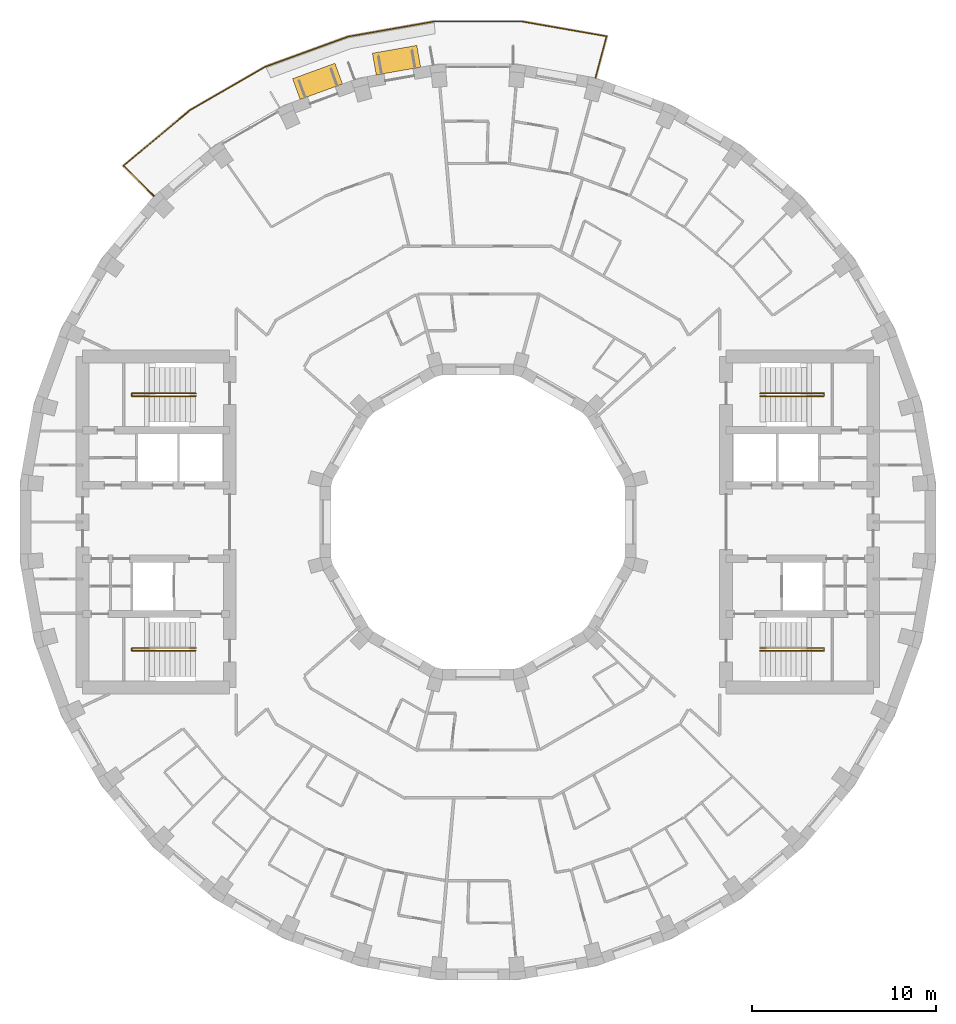
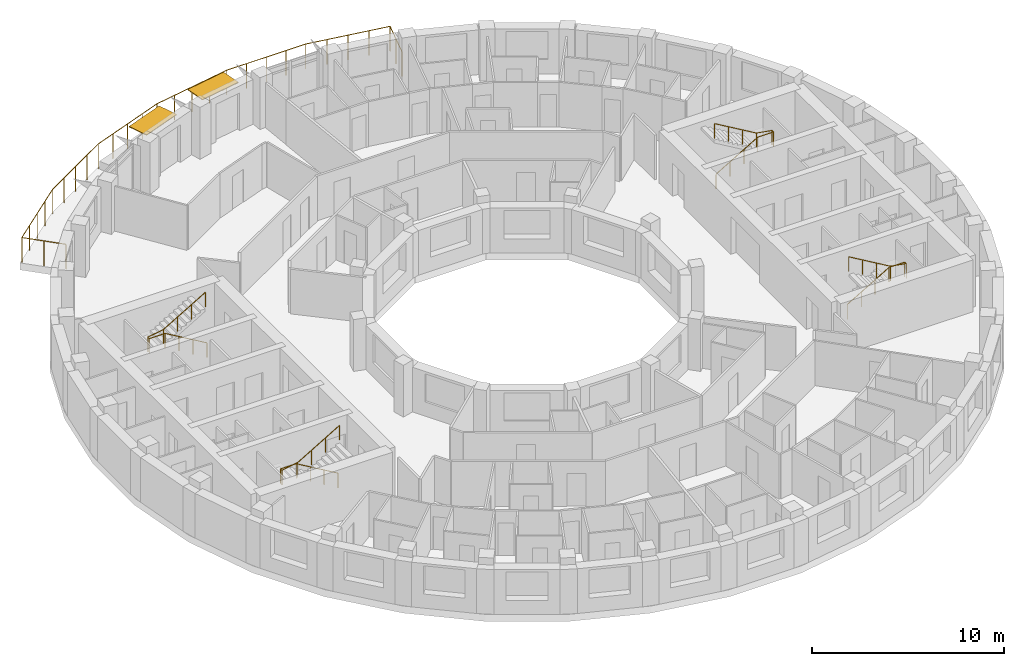
# One storey, part 14 of 14: 5 railings, 2 shading devices.
"""IFC4 building model written with IfcOpenShell, lengths in metres."""

from ifc_helpers import new_model, si_unit, direction, frame, origin, origin_2d, place, context, subcontext, project, spatial, rectangle, circle, extrude, material, layer, layer_set, type_object, element, save


model = new_model("IFC4")

# Units and contexts
model_context = context("Model", 3, precision=1e-05, world=origin(), true_north=direction((0.0, 1.0)))
body_context = subcontext(model_context, "Body", "Model", "MODEL_VIEW")
ifc_project = project(units=[si_unit("LENGTHUNIT", "METRE"), si_unit("AREAUNIT", "SQUARE_METRE"), si_unit("VOLUMEUNIT", "CUBIC_METRE"), si_unit("PLANEANGLEUNIT", "RADIAN"), si_unit("MASSUNIT", "GRAM", prefix="KILO")], contexts=[model_context])

# Site, building, storey
site_placement = place(None, origin())
site = spatial("IfcSite", under=ifc_project, at=site_placement, CompositionType="ELEMENT")
building_placement = place(site_placement, origin())
building = spatial("IfcBuilding", under=site, at=building_placement, Name="Saqina Gate Tower", CompositionType="ELEMENT")
storey_placement = place(building_placement, frame((0.0, 0.0, 213.60009765625)))
storey = spatial("IfcBuildingStorey", under=building, at=storey_placement, Name="L61", CompositionType="ELEMENT", Elevation=213.60009765625)

# Shading devices
ifc_material_1 = material(Name="Aluminium and fabric awning", Category="aluminium")
ifc_layer = layer(ifc_material_1, 0.050048828125)
ifc_layer_set = layer_set([ifc_layer], Name="AW-TERRACE")
shading_device_type = type_object("IfcShadingDeviceType", Name="AW-TERRACE", PredefinedType="AWNING", material=ifc_layer_set)
for number, where, z_axis, x_axis, name in (
    (1, (-4.428955078125, 25.117431640625, 2.52490234375), (0.0, 0.0, 1.0), (-0.984807753012, -0.173648177667, 0.0), "Terrace awning L61 facet 10"),
    (2, (-8.72314453125, 23.966796875, 2.52490234375), (0.0, 0.0, 1.0), (-0.939692620786, -0.342020143326, 0.0), "Terrace awning L61 facet 11"),
):
    element("IfcShadingDevice", number, at=place(storey_placement, frame(where, z_axis=z_axis, x_axis=x_axis)), inside=storey, type_object=shading_device_type, Name=name, PredefinedType="AWNING", context=body_context, shape_type="SweptSolid", body=[
        extrude(rectangle(XDim=2.44970703125, YDim=1.199951171875, at=origin_2d()), origin(), (0.0, 0.0, 1.0), 0.050048828125),
    ])

# Railings
ifc_material_2 = material(Name="Stainless steel", Category="steel")
railing_type_1 = type_object("IfcRailingType", Name="RL-TERRACE", PredefinedType="GUARDRAIL", material=ifc_material_2)
railing_1_placement = place(storey_placement, frame((6.377685546875, 24.11083984375, 0.0)))
element("IfcRailing", 3, at=railing_1_placement, inside=storey, type_object=railing_type_1, Name="Terrace guard L61", PredefinedType="GUARDRAIL", context=body_context, shape_type="SweptSolid", body=[
    extrude(circle(Radius=0.02392578125, at=origin_2d()), frame((0.0, 0.0, 1.576171875), z_axis=(0.258851866296, 0.965917031279, 0.0), x_axis=(-0.965917031279, 0.258851866296, 0.0)), (0.0, 0.0, 1.0), 2.38916015625),
    extrude(circle(Radius=0.02392578125, at=origin_2d()), frame((0.618408203125, 2.3076171875, 1.576171875), z_axis=(-0.985070265823, 0.17215275598, 0.0), x_axis=(-0.17215275598, -0.985070265823, 0.0)), (0.0, 0.0, 1.0), 4.68408203125),
    extrude(circle(Radius=0.02392578125, at=origin_2d()), frame((-3.995849609375, 3.114013671875, 1.576171875), z_axis=(-1.0, 0.0, 0.0), x_axis=(0.0, -1.0, 0.0)), (0.0, 0.0, 1.0), 4.763671875),
    extrude(circle(Radius=0.02392578125, at=origin_2d()), frame((-8.759521484375, 3.114013671875, 1.576171875), z_axis=(-0.98481037568, -0.173633303123, 0.0), x_axis=(0.173633303123, -0.98481037568, 0.0)), (0.0, 0.0, 1.0), 4.763671875),
    extrude(circle(Radius=0.02392578125, at=origin_2d()), frame((-13.450927734375, 2.286865234375, 1.576171875), z_axis=(-0.939688638318, -0.342031084868, 0.0), x_axis=(0.342031084868, -0.939688638318, 0.0)), (0.0, 0.0, 1.0), 4.763916015625),
    extrude(circle(Radius=0.02392578125, at=origin_2d()), frame((-17.927490234375, 0.657470703125, 1.576171875), z_axis=(-0.866026842905, -0.499997507361, 0.0), x_axis=(0.499997507361, -0.866026842905, 0.0)), (0.0, 0.0, 1.0), 4.763671875),
    extrude(circle(Radius=0.02392578125, at=origin_2d()), frame((-22.052978515625, -1.724365234375, 1.576171875), z_axis=(-0.767002243016, -0.641644418045, 0.0), x_axis=(0.641644418045, -0.767002243016, 0.0)), (0.0, 0.0, 1.0), 4.683837890625),
    extrude(circle(Radius=0.02392578125, at=origin_2d()), frame((-25.6455078125, -4.729736328125, 1.576171875), z_axis=(0.707106781187, -0.707106781187, 0.0), x_axis=(0.707106781187, 0.707106781187, 0.0)), (0.0, 0.0, 1.0), 2.388916015625),
    extrude(circle(Radius=0.02099609375, at=origin_2d()), origin(), (0.0, 0.0, 1.0), 1.552001953125),
    extrude(circle(Radius=0.02099609375, at=origin_2d()), frame((0.30908203125, 1.15380859375, 0.0)), (0.0, 0.0, 1.0), 1.552001953125),
    extrude(circle(Radius=0.02099609375, at=origin_2d()), frame((0.618408203125, 2.3076171875, 0.0)), (0.0, 0.0, 1.0), 1.552001953125),
    extrude(circle(Radius=0.02099609375, at=origin_2d()), frame((-0.53515625, 2.50927734375, 0.0)), (0.0, 0.0, 1.0), 1.552001953125),
    extrude(circle(Radius=0.02099609375, at=origin_2d()), frame((-1.688720703125, 2.7109375, 0.0)), (0.0, 0.0, 1.0), 1.552001953125),
    extrude(circle(Radius=0.02099609375, at=origin_2d()), frame((-2.84228515625, 2.912353515625, 0.0)), (0.0, 0.0, 1.0), 1.552001953125),
    extrude(circle(Radius=0.02099609375, at=origin_2d()), frame((-3.995849609375, 3.114013671875, 0.0)), (0.0, 0.0, 1.0), 1.552001953125),
    extrude(circle(Radius=0.02099609375, at=origin_2d()), frame((-5.186767578125, 3.114013671875, 0.0)), (0.0, 0.0, 1.0), 1.552001953125),
    extrude(circle(Radius=0.02099609375, at=origin_2d()), frame((-6.377685546875, 3.114013671875, 0.0)), (0.0, 0.0, 1.0), 1.552001953125),
    extrude(circle(Radius=0.02099609375, at=origin_2d()), frame((-7.568603515625, 3.114013671875, 0.0)), (0.0, 0.0, 1.0), 1.552001953125),
    extrude(circle(Radius=0.02099609375, at=origin_2d()), frame((-8.759521484375, 3.114013671875, 0.0)), (0.0, 0.0, 1.0), 1.552001953125),
    extrude(circle(Radius=0.02099609375, at=origin_2d()), frame((-9.932373046875, 2.9072265625, 0.0)), (0.0, 0.0, 1.0), 1.552001953125),
    extrude(circle(Radius=0.02099609375, at=origin_2d()), frame((-11.105224609375, 2.700439453125, 0.0)), (0.0, 0.0, 1.0), 1.552001953125),
    extrude(circle(Radius=0.02099609375, at=origin_2d()), frame((-12.278076171875, 2.49365234375, 0.0)), (0.0, 0.0, 1.0), 1.552001953125),
    extrude(circle(Radius=0.02099609375, at=origin_2d()), frame((-13.450927734375, 2.286865234375, 0.0)), (0.0, 0.0, 1.0), 1.552001953125),
    extrude(circle(Radius=0.02099609375, at=origin_2d()), frame((-14.570068359375, 1.87939453125, 0.0)), (0.0, 0.0, 1.0), 1.552001953125),
    extrude(circle(Radius=0.02099609375, at=origin_2d()), frame((-15.689208984375, 1.47216796875, 0.0)), (0.0, 0.0, 1.0), 1.552001953125),
    extrude(circle(Radius=0.02099609375, at=origin_2d()), frame((-16.808349609375, 1.06494140625, 0.0)), (0.0, 0.0, 1.0), 1.552001953125),
    extrude(circle(Radius=0.02099609375, at=origin_2d()), frame((-17.927490234375, 0.657470703125, 0.0)), (0.0, 0.0, 1.0), 1.552001953125),
    extrude(circle(Radius=0.02099609375, at=origin_2d()), frame((-18.958984375, 0.06201171875, 0.0)), (0.0, 0.0, 1.0), 1.552001953125),
    extrude(circle(Radius=0.02099609375, at=origin_2d()), frame((-19.990234375, -0.533447265625, 0.0)), (0.0, 0.0, 1.0), 1.552001953125),
    extrude(circle(Radius=0.02099609375, at=origin_2d()), frame((-21.021484375, -1.12890625, 0.0)), (0.0, 0.0, 1.0), 1.552001953125),
    extrude(circle(Radius=0.02099609375, at=origin_2d()), frame((-22.052978515625, -1.724365234375, 0.0)), (0.0, 0.0, 1.0), 1.552001953125),
    extrude(circle(Radius=0.02099609375, at=origin_2d()), frame((-22.951171875, -2.4755859375, 0.0)), (0.0, 0.0, 1.0), 1.552001953125),
    extrude(circle(Radius=0.02099609375, at=origin_2d()), frame((-23.84912109375, -3.22705078125, 0.0)), (0.0, 0.0, 1.0), 1.552001953125),
    extrude(circle(Radius=0.02099609375, at=origin_2d()), frame((-24.747314453125, -3.978515625, 0.0)), (0.0, 0.0, 1.0), 1.552001953125),
    extrude(circle(Radius=0.02099609375, at=origin_2d()), frame((-25.6455078125, -4.729736328125, 0.0)), (0.0, 0.0, 1.0), 1.552001953125),
    extrude(circle(Radius=0.02099609375, at=origin_2d()), frame((-24.80078125, -5.57421875, 0.0)), (0.0, 0.0, 1.0), 1.552001953125),
    extrude(circle(Radius=0.02099609375, at=origin_2d()), frame((-23.956298828125, -6.4189453125, 0.0)), (0.0, 0.0, 1.0), 1.552001953125),
])
ifc_material_3 = material(Name="Stainless steel", Category="steel")
railing_type_2 = type_object("IfcRailingType", Name="STAIR HANDRAIL", PredefinedType="HANDRAIL", material=ifc_material_3)
railing_2_placement = place(storey_placement, frame((15.35009765625, 6.85009765625, 0.164794921875)))
element("IfcRailing", 4, at=railing_2_placement, inside=storey, type_object=railing_type_2, Name="EXIT STAIR 1 HANDRAIL", PredefinedType="HANDRAIL", context=body_context, shape_type="SweptSolid", body=[
    extrude(circle(Radius=0.02392578125, at=origin_2d()), frame((0.0, 0.0, 0.92578125), z_axis=(0.86152411907, 0.0, 0.507716645641), x_axis=(0.0, 1.0, 0.0)), (0.0, 0.0, 1.0), 2.925048828125),
    extrude(circle(Radius=0.02392578125, at=origin_2d()), frame((2.52001953125, 0.0, 2.4111328125), z_axis=(1.0, 0.0, 0.0), x_axis=(0.0, 1.0, 0.0)), (0.0, 0.0, 1.0), 0.949951171875),
    extrude(circle(Radius=0.02392578125, at=origin_2d()), frame((3.469970703125, 0.0, 2.4111328125), z_axis=(0.0, 1.0, 0.0), x_axis=(-1.0, 0.0, 0.0)), (0.0, 0.0, 1.0), 0.14990234375),
    extrude(circle(Radius=0.02392578125, at=origin_2d()), frame((3.469970703125, 0.14990234375, 2.4111328125), z_axis=(-0.985241474778, 0.0, 0.171170197109), x_axis=(0.0, -1.0, 0.0)), (0.0, 0.0, 1.0), 0.964111328125),
    extrude(circle(Radius=0.02392578125, at=origin_2d()), frame((2.52001953125, 0.14990234375, 2.576171875), z_axis=(-0.861560626758, 0.0, 0.507654692109), x_axis=(0.0, -1.0, 0.0)), (0.0, 0.0, 1.0), 2.925048828125),
    extrude(circle(Radius=0.02099609375, at=origin_2d()), origin(), (0.0, 0.0, 1.0), 0.90185546875),
    extrude(circle(Radius=0.02099609375, at=origin_2d()), frame((0.840087890625, 0.0, 0.4951171875)), (0.0, 0.0, 1.0), 0.90185546875),
    extrude(circle(Radius=0.02099609375, at=origin_2d()), frame((1.679931640625, 0.0, 0.989990234375)), (0.0, 0.0, 1.0), 0.90185546875),
    extrude(circle(Radius=0.02099609375, at=origin_2d()), frame((2.52001953125, 0.0, 1.485107421875)), (0.0, 0.0, 1.0), 0.90185546875),
    extrude(circle(Radius=0.02099609375, at=origin_2d()), frame((3.469970703125, 0.0, 1.485107421875)), (0.0, 0.0, 1.0), 0.90185546875),
    extrude(circle(Radius=0.02099609375, at=origin_2d()), frame((3.469970703125, 0.14990234375, 1.485107421875)), (0.0, 0.0, 1.0), 0.90185546875),
    extrude(circle(Radius=0.02099609375, at=origin_2d()), frame((2.52001953125, 0.14990234375, 1.650146484375)), (0.0, 0.0, 1.0), 0.90185546875),
    extrude(circle(Radius=0.02099609375, at=origin_2d()), frame((1.679931640625, 0.14990234375, 2.14501953125)), (0.0, 0.0, 1.0), 0.90185546875),
    extrude(circle(Radius=0.02099609375, at=origin_2d()), frame((0.840087890625, 0.14990234375, 2.64013671875)), (0.0, 0.0, 1.0), 0.90185546875),
    extrude(circle(Radius=0.02099609375, at=origin_2d()), frame((0.0, 0.14990234375, 3.135009765625)), (0.0, 0.0, 1.0), 0.90185546875),
])
railing_3_placement = place(storey_placement, frame((15.35009765625, -6.85009765625, 0.164794921875)))
element("IfcRailing", 5, at=railing_3_placement, inside=storey, type_object=railing_type_2, Name="EXIT STAIR 2 HANDRAIL", PredefinedType="HANDRAIL", context=body_context, shape_type="SweptSolid", body=[
    extrude(circle(Radius=0.02392578125, at=origin_2d()), frame((0.0, 0.0, 0.92578125), z_axis=(0.86152411907, 0.0, 0.507716645641), x_axis=(0.0, 1.0, 0.0)), (0.0, 0.0, 1.0), 2.925048828125),
    extrude(circle(Radius=0.02392578125, at=origin_2d()), frame((2.52001953125, 0.0, 2.4111328125), z_axis=(1.0, 0.0, 0.0), x_axis=(0.0, 1.0, 0.0)), (0.0, 0.0, 1.0), 0.949951171875),
    extrude(circle(Radius=0.02392578125, at=origin_2d()), frame((3.469970703125, 0.0, 2.4111328125), z_axis=(0.0, -1.0, 0.0), x_axis=(1.0, 0.0, 0.0)), (0.0, 0.0, 1.0), 0.14990234375),
    extrude(circle(Radius=0.02392578125, at=origin_2d()), frame((3.469970703125, -0.14990234375, 2.4111328125), z_axis=(-0.985241474778, 0.0, 0.171170197109), x_axis=(0.0, -1.0, 0.0)), (0.0, 0.0, 1.0), 0.964111328125),
    extrude(circle(Radius=0.02392578125, at=origin_2d()), frame((2.52001953125, -0.14990234375, 2.576171875), z_axis=(-0.861560626758, 0.0, 0.507654692109), x_axis=(0.0, -1.0, 0.0)), (0.0, 0.0, 1.0), 2.925048828125),
    extrude(circle(Radius=0.02099609375, at=origin_2d()), origin(), (0.0, 0.0, 1.0), 0.90185546875),
    extrude(circle(Radius=0.02099609375, at=origin_2d()), frame((0.840087890625, 0.0, 0.4951171875)), (0.0, 0.0, 1.0), 0.90185546875),
    extrude(circle(Radius=0.02099609375, at=origin_2d()), frame((1.679931640625, 0.0, 0.989990234375)), (0.0, 0.0, 1.0), 0.90185546875),
    extrude(circle(Radius=0.02099609375, at=origin_2d()), frame((2.52001953125, 0.0, 1.485107421875)), (0.0, 0.0, 1.0), 0.90185546875),
    extrude(circle(Radius=0.02099609375, at=origin_2d()), frame((3.469970703125, 0.0, 1.485107421875)), (0.0, 0.0, 1.0), 0.90185546875),
    extrude(circle(Radius=0.02099609375, at=origin_2d()), frame((3.469970703125, -0.14990234375, 1.485107421875)), (0.0, 0.0, 1.0), 0.90185546875),
    extrude(circle(Radius=0.02099609375, at=origin_2d()), frame((2.52001953125, -0.14990234375, 1.650146484375)), (0.0, 0.0, 1.0), 0.90185546875),
    extrude(circle(Radius=0.02099609375, at=origin_2d()), frame((1.679931640625, -0.14990234375, 2.14501953125)), (0.0, 0.0, 1.0), 0.90185546875),
    extrude(circle(Radius=0.02099609375, at=origin_2d()), frame((0.840087890625, -0.14990234375, 2.64013671875)), (0.0, 0.0, 1.0), 0.90185546875),
    extrude(circle(Radius=0.02099609375, at=origin_2d()), frame((0.0, -0.14990234375, 3.135009765625)), (0.0, 0.0, 1.0), 0.90185546875),
])
railing_4_placement = place(storey_placement, frame((-15.35009765625, 6.85009765625, 0.164794921875)))
element("IfcRailing", 6, at=railing_4_placement, inside=storey, type_object=railing_type_2, Name="EXIT STAIR 3 HANDRAIL", PredefinedType="HANDRAIL", context=body_context, shape_type="SweptSolid", body=[
    extrude(circle(Radius=0.02392578125, at=origin_2d()), frame((0.0, 0.0, 0.92578125), z_axis=(-0.86152411907, 0.0, 0.507716645641), x_axis=(0.0, -1.0, 0.0)), (0.0, 0.0, 1.0), 2.925048828125),
    extrude(circle(Radius=0.02392578125, at=origin_2d()), frame((-2.52001953125, 0.0, 2.4111328125), z_axis=(-1.0, 0.0, 0.0), x_axis=(0.0, -1.0, 0.0)), (0.0, 0.0, 1.0), 0.949951171875),
    extrude(circle(Radius=0.02392578125, at=origin_2d()), frame((-3.469970703125, 0.0, 2.4111328125), z_axis=(0.0, 1.0, 0.0), x_axis=(-1.0, 0.0, 0.0)), (0.0, 0.0, 1.0), 0.14990234375),
    extrude(circle(Radius=0.02392578125, at=origin_2d()), frame((-3.469970703125, 0.14990234375, 2.4111328125), z_axis=(0.985241474778, 0.0, 0.171170197109), x_axis=(0.0, 1.0, 0.0)), (0.0, 0.0, 1.0), 0.964111328125),
    extrude(circle(Radius=0.02392578125, at=origin_2d()), frame((-2.52001953125, 0.14990234375, 2.576171875), z_axis=(0.861560626758, 0.0, 0.507654692109), x_axis=(0.0, 1.0, 0.0)), (0.0, 0.0, 1.0), 2.925048828125),
    extrude(circle(Radius=0.02099609375, at=origin_2d()), origin(), (0.0, 0.0, 1.0), 0.90185546875),
    extrude(circle(Radius=0.02099609375, at=origin_2d()), frame((-0.840087890625, 0.0, 0.4951171875)), (0.0, 0.0, 1.0), 0.90185546875),
    extrude(circle(Radius=0.02099609375, at=origin_2d()), frame((-1.679931640625, 0.0, 0.989990234375)), (0.0, 0.0, 1.0), 0.90185546875),
    extrude(circle(Radius=0.02099609375, at=origin_2d()), frame((-2.52001953125, 0.0, 1.485107421875)), (0.0, 0.0, 1.0), 0.90185546875),
    extrude(circle(Radius=0.02099609375, at=origin_2d()), frame((-3.469970703125, 0.0, 1.485107421875)), (0.0, 0.0, 1.0), 0.90185546875),
    extrude(circle(Radius=0.02099609375, at=origin_2d()), frame((-3.469970703125, 0.14990234375, 1.485107421875)), (0.0, 0.0, 1.0), 0.90185546875),
    extrude(circle(Radius=0.02099609375, at=origin_2d()), frame((-2.52001953125, 0.14990234375, 1.650146484375)), (0.0, 0.0, 1.0), 0.90185546875),
    extrude(circle(Radius=0.02099609375, at=origin_2d()), frame((-1.679931640625, 0.14990234375, 2.14501953125)), (0.0, 0.0, 1.0), 0.90185546875),
    extrude(circle(Radius=0.02099609375, at=origin_2d()), frame((-0.840087890625, 0.14990234375, 2.64013671875)), (0.0, 0.0, 1.0), 0.90185546875),
    extrude(circle(Radius=0.02099609375, at=origin_2d()), frame((0.0, 0.14990234375, 3.135009765625)), (0.0, 0.0, 1.0), 0.90185546875),
])
railing_5_placement = place(storey_placement, frame((-15.35009765625, -6.85009765625, 0.164794921875)))
element("IfcRailing", 7, at=railing_5_placement, inside=storey, type_object=railing_type_2, Name="EXIT STAIR 4 HANDRAIL", PredefinedType="HANDRAIL", context=body_context, shape_type="SweptSolid", body=[
    extrude(circle(Radius=0.02392578125, at=origin_2d()), frame((0.0, 0.0, 0.92578125), z_axis=(-0.86152411907, 0.0, 0.507716645641), x_axis=(0.0, -1.0, 0.0)), (0.0, 0.0, 1.0), 2.925048828125),
    extrude(circle(Radius=0.02392578125, at=origin_2d()), frame((-2.52001953125, 0.0, 2.4111328125), z_axis=(-1.0, 0.0, 0.0), x_axis=(0.0, -1.0, 0.0)), (0.0, 0.0, 1.0), 0.949951171875),
    extrude(circle(Radius=0.02392578125, at=origin_2d()), frame((-3.469970703125, 0.0, 2.4111328125), z_axis=(0.0, -1.0, 0.0), x_axis=(1.0, 0.0, 0.0)), (0.0, 0.0, 1.0), 0.14990234375),
    extrude(circle(Radius=0.02392578125, at=origin_2d()), frame((-3.469970703125, -0.14990234375, 2.4111328125), z_axis=(0.985241474778, 0.0, 0.171170197109), x_axis=(0.0, 1.0, 0.0)), (0.0, 0.0, 1.0), 0.964111328125),
    extrude(circle(Radius=0.02392578125, at=origin_2d()), frame((-2.52001953125, -0.14990234375, 2.576171875), z_axis=(0.861560626758, 0.0, 0.507654692109), x_axis=(0.0, 1.0, 0.0)), (0.0, 0.0, 1.0), 2.925048828125),
    extrude(circle(Radius=0.02099609375, at=origin_2d()), origin(), (0.0, 0.0, 1.0), 0.90185546875),
    extrude(circle(Radius=0.02099609375, at=origin_2d()), frame((-0.840087890625, 0.0, 0.4951171875)), (0.0, 0.0, 1.0), 0.90185546875),
    extrude(circle(Radius=0.02099609375, at=origin_2d()), frame((-1.679931640625, 0.0, 0.989990234375)), (0.0, 0.0, 1.0), 0.90185546875),
    extrude(circle(Radius=0.02099609375, at=origin_2d()), frame((-2.52001953125, 0.0, 1.485107421875)), (0.0, 0.0, 1.0), 0.90185546875),
    extrude(circle(Radius=0.02099609375, at=origin_2d()), frame((-3.469970703125, 0.0, 1.485107421875)), (0.0, 0.0, 1.0), 0.90185546875),
    extrude(circle(Radius=0.02099609375, at=origin_2d()), frame((-3.469970703125, -0.14990234375, 1.485107421875)), (0.0, 0.0, 1.0), 0.90185546875),
    extrude(circle(Radius=0.02099609375, at=origin_2d()), frame((-2.52001953125, -0.14990234375, 1.650146484375)), (0.0, 0.0, 1.0), 0.90185546875),
    extrude(circle(Radius=0.02099609375, at=origin_2d()), frame((-1.679931640625, -0.14990234375, 2.14501953125)), (0.0, 0.0, 1.0), 0.90185546875),
    extrude(circle(Radius=0.02099609375, at=origin_2d()), frame((-0.840087890625, -0.14990234375, 2.64013671875)), (0.0, 0.0, 1.0), 0.90185546875),
    extrude(circle(Radius=0.02099609375, at=origin_2d()), frame((0.0, -0.14990234375, 3.135009765625)), (0.0, 0.0, 1.0), 0.90185546875),
])

save(model, "model.ifc")
